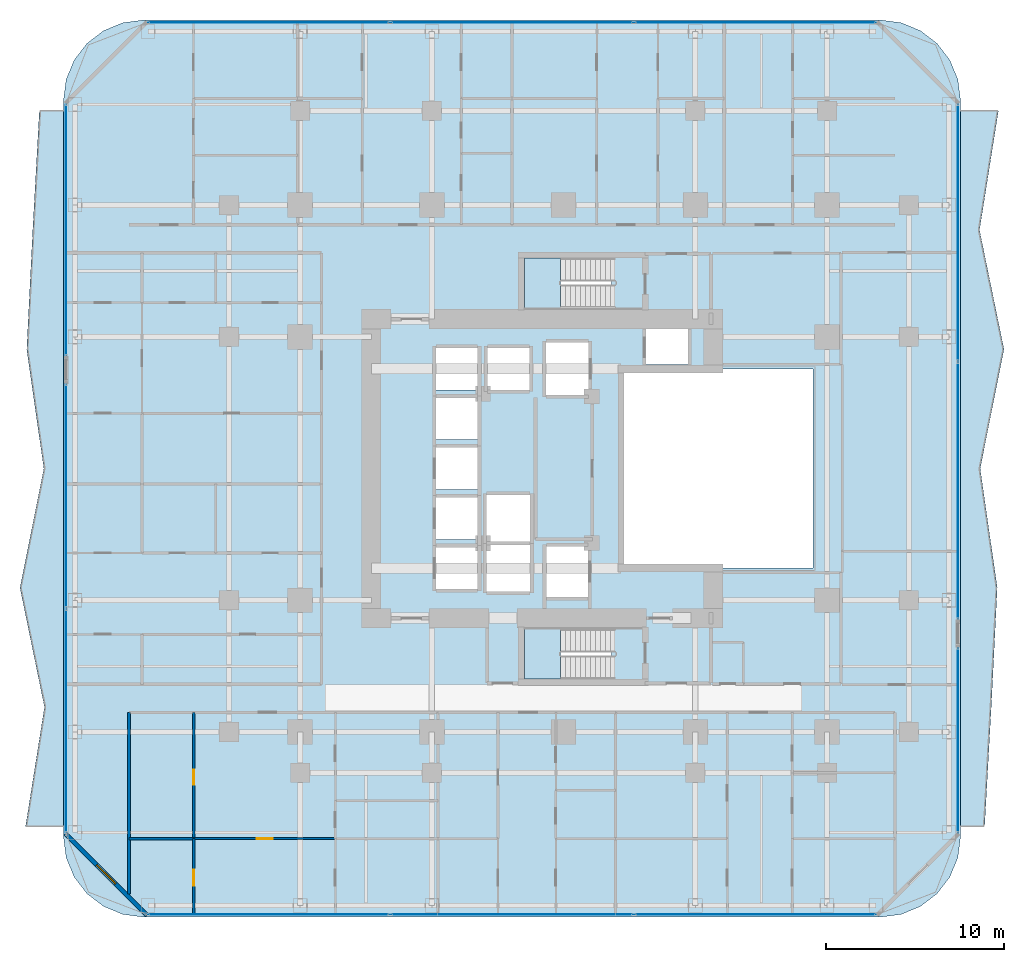
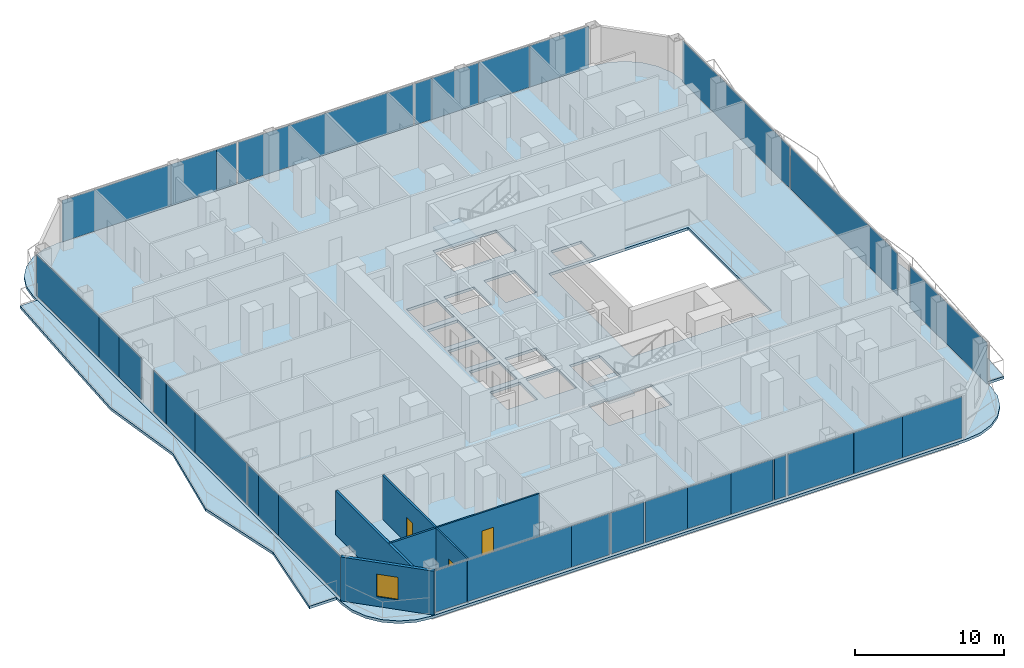
# One storey, part 18 of 29: 31 plates, 6 walls, 5 slabs, 3 doors, 1 window, 4 openings, 8 elements without a shape of their own.
"""IFC4 building model written with IfcOpenShell, lengths in metres."""

from ifc_helpers import new_model, si_unit, direction, frame, frame_2d, origin, origin_2d, place, context, subcontext, project, spatial, polyline, rectangle, outline, extrude, material, layer, layer_set, type_object, element, fill, aggregate, save


model = new_model("IFC4")

# Units and contexts
model_context = context("Model", 3, precision=1e-05, world=origin(), true_north=direction((0.0, 1.0)))
body_context = subcontext(model_context, "Body", "Model", "MODEL_VIEW")
ifc_project = project(units=[si_unit("LENGTHUNIT", "METRE"), si_unit("AREAUNIT", "SQUARE_METRE"), si_unit("VOLUMEUNIT", "CUBIC_METRE"), si_unit("PLANEANGLEUNIT", "RADIAN"), si_unit("MASSUNIT", "GRAM", prefix="KILO")], contexts=[model_context])

# Site, building, storey
site_placement = place(None, origin())
site = spatial("IfcSite", under=ifc_project, at=site_placement, CompositionType="ELEMENT")
building_placement = place(site_placement, origin())
building = spatial("IfcBuilding", under=site, at=building_placement, Name="Khorvyn Point Tower", CompositionType="ELEMENT")
storey_placement = place(building_placement, frame((0.0, 0.0, 73.5)))
storey = spatial("IfcBuildingStorey", under=building, at=storey_placement, Name="L19", CompositionType="ELEMENT", Elevation=73.5)

# Slabs
ifc_material_1 = material(Name="Concrete C35/45", Category="concrete")
ifc_layer_1 = layer(ifc_material_1, 0.219970703125)
ifc_layer_set_1 = layer_set([ifc_layer_1], Name="Concrete C35/45 Structural Floor Slab 220")
slab_type_1 = type_object("IfcSlabType", Name="Concrete C35/45 Structural Floor Slab 220", PredefinedType="FLOOR", material=ifc_layer_set_1)
slab_1_placement = place(storey_placement, frame((0.0, 0.0, -0.219970703125)))
element("IfcSlab", 1, at=slab_1_placement, inside=storey, type_object=slab_type_1, Name="L19 Main Structural Floor Slab", PredefinedType="FLOOR", context=body_context, shape_type="SweptSolid", body=[
    extrude(outline(polyline([(-23.60009765625, -25.199951171875), (-24.7646484375, -25.046630859375), (-25.85009765625, -24.59716796875), (-26.781982421875, -23.882080078125), (-27.4970703125, -22.949951171875), (-27.94677734375, -21.86474609375), (-28.10009765625, -20.699951171875), (-28.10009765625, 20.699951171875), (-27.94677734375, 21.86474609375), (-27.4970703125, 22.949951171875), (-26.781982421875, 23.882080078125), (-25.85009765625, 24.59716796875), (-24.7646484375, 25.046630859375), (-23.60009765625, 25.199951171875), (17.800048828125, 25.199951171875), (18.964599609375, 25.046630859375), (20.050048828125, 24.59716796875), (20.98193359375, 23.882080078125), (21.697021484375, 22.949951171875), (22.146728515625, 21.86474609375), (22.300048828125, 20.699951171875), (22.300048828125, -20.699951171875), (22.146728515625, -21.86474609375), (21.697021484375, -22.949951171875), (20.98193359375, -23.882080078125), (20.050048828125, -24.59716796875), (18.964599609375, -25.046630859375), (17.800048828125, -25.199951171875), (-23.60009765625, -25.199951171875)]), holes=[polyline([(-4.824951171875, -6.77490234375), (-4.824951171875, -4.425048828125), (-7.175048828125, -4.425048828125), (-7.175048828125, -6.77490234375), (-4.824951171875, -6.77490234375)]), polyline([(-4.324951171875, -6.89990234375), (-1.875, -6.89990234375), (-1.875, -4.300048828125), (-4.324951171875, -4.300048828125), (-4.324951171875, -6.89990234375)]), polyline([(-7.175048828125, -3.97509765625), (-4.824951171875, -3.97509765625), (-4.824951171875, -1.625), (-7.175048828125, -1.625), (-7.175048828125, -3.97509765625)]), polyline([(-7.175048828125, -1.175048828125), (-4.824951171875, -1.175048828125), (-4.824951171875, 1.175048828125), (-7.175048828125, 1.175048828125), (-7.175048828125, -1.175048828125)]), polyline([(-7.175048828125, 1.625), (-4.824951171875, 1.625), (-4.824951171875, 3.97509765625), (-7.175048828125, 3.97509765625), (-7.175048828125, 1.625)]), polyline([(-7.175048828125, 4.425048828125), (-4.824951171875, 4.425048828125), (-4.824951171875, 6.77490234375), (-7.175048828125, 6.77490234375), (-7.175048828125, 4.425048828125)]), polyline([(-4.27490234375, 4.425048828125), (-1.925048828125, 4.425048828125), (-1.925048828125, 6.77490234375), (-4.27490234375, 6.77490234375), (-4.27490234375, 4.425048828125)]), polyline([(2.679931640625, -11.820068359375), (2.679931640625, -9.02001953125), (-2.199951171875, -9.02001953125), (-2.199951171875, -11.820068359375), (2.679931640625, -11.820068359375)]), polyline([(-0.97509765625, -7.22509765625), (1.375, -7.22509765625), (1.375, -4.375), (-0.97509765625, -4.375), (-0.97509765625, -7.22509765625)]), polyline([(-4.324951171875, -4.10009765625), (-1.875, -4.10009765625), (-1.875, -1.5), (-4.324951171875, -1.5), (-4.324951171875, -4.10009765625)]), polyline([(3.199951171875, -5.60009765625), (14.0, -5.60009765625), (14.0, 5.60009765625), (3.199951171875, 5.60009765625), (3.199951171875, -5.60009765625)]), polyline([(-1.0, 4.125), (1.39990234375, 4.125), (1.39990234375, 7.074951171875), (-1.0, 7.074951171875), (-1.0, 4.125)]), polyline([(4.625, 5.85009765625), (6.97509765625, 5.85009765625), (6.97509765625, 7.830078125), (4.625, 7.830078125), (4.625, 5.85009765625)]), polyline([(-2.199951171875, 9.02001953125), (2.679931640625, 9.02001953125), (2.679931640625, 11.820068359375), (-2.199951171875, 11.820068359375), (-2.199951171875, 9.02001953125)])]), origin(), (0.0, 0.0, 1.0), 0.219970703125),
])
ifc_material_2 = material(Name="Concrete C40/50", Category="concrete")
ifc_layer_2 = layer(ifc_material_2, 0.2099609375)
ifc_layer_set_2 = layer_set([ifc_layer_2], Name="Concrete C40/50 Rippling Balcony Slab 210")
slab_type_2 = type_object("IfcSlabType", Name="Concrete C40/50 Rippling Balcony Slab 210", PredefinedType="USERDEFINED", material=ifc_layer_set_2)
slab_2_placement = place(storey_placement, frame((0.0, 0.0, -0.2099609375)))
element("IfcSlab", 2, at=slab_2_placement, inside=storey, type_object=slab_type_2, Name="L19 East Sinusoidal Rippling Balcony", ObjectType="BALCONY", PredefinedType="USERDEFINED", context=body_context, shape_type="SweptSolid", body=[
    extrude(outline(polyline([(22.300048828125, -20.10009765625), (23.655029296875, -20.10009765625), (24.027099609375, -13.39990234375), (24.36328125, -6.699951171875), (23.404296875, 0.0), (24.741455078125, 6.699951171875), (23.3671875, 13.39990234375), (24.427978515625, 20.10009765625), (22.300048828125, 20.10009765625), (22.300048828125, -20.10009765625)])), origin(), (0.0, 0.0, 1.0), 0.2099609375),
])
slab_3_placement = place(storey_placement, frame((0.0, 0.0, -0.2099609375)))
element("IfcSlab", 3, at=slab_3_placement, inside=storey, type_object=slab_type_2, Name="L19 West Sinusoidal Rippling Balcony", ObjectType="BALCONY", PredefinedType="USERDEFINED", context=body_context, shape_type="SweptSolid", body=[
    extrude(outline(polyline([(-28.10009765625, 20.10009765625), (-29.455078125, 20.10009765625), (-29.826904296875, 13.39990234375), (-30.163330078125, 6.699951171875), (-29.204345703125, 0.0), (-30.54150390625, -6.699951171875), (-29.167236328125, -13.39990234375), (-30.22802734375, -20.10009765625), (-28.10009765625, -20.10009765625), (-28.10009765625, 20.10009765625)])), origin(), (0.0, 0.0, 1.0), 0.2099609375),
])

# Stair, slab
stair_type = type_object("IfcStairType", Name="Tower Concrete C40/50 Dogleg Exit Stair", PredefinedType="HALF_TURN_STAIR", material=ifc_material_2)
stair_1_placement = place(storey_placement, origin())
stair_1 = element("IfcStair", 4, at=stair_1_placement, inside=storey, type_object=stair_type, Name="L19 Tower Smokeproof Exit Stair South", PredefinedType="HALF_TURN_STAIR")
ifc_layer_3 = layer(ifc_material_2, 0.199951171875)
ifc_layer_set_3 = layer_set([ifc_layer_3], Name="Concrete C40/50 Stair Landing Slab 200")
slab_type_3 = type_object("IfcSlabType", Name="Concrete C40/50 Stair Landing Slab 200", PredefinedType="LANDING", material=ifc_layer_set_3)
slab_4_placement = place(storey_placement, frame((0.0, 0.0, 1.75)))
slab_4 = element("IfcSlab", 5, at=slab_4_placement, type_object=slab_type_3, Name="ST-01 landing 1", PredefinedType="LANDING", context=body_context, shape_type="SweptSolid", body=[
    extrude(outline(polyline([(-0.179931640625, -9.02001953125), (-2.199951171875, -9.02001953125), (-2.199951171875, -11.820068359375), (-0.179931640625, -11.820068359375), (-0.179931640625, -9.02001953125)])), origin(), (0.0, 0.0, 1.0), 0.199951171875),
])
aggregate(stair_1, [slab_4])

stair_2_placement = place(storey_placement, origin())
stair_2 = element("IfcStair", 6, at=stair_2_placement, inside=storey, type_object=stair_type, Name="L19 Tower Smokeproof Exit Stair North", PredefinedType="HALF_TURN_STAIR")
slab_5_placement = place(storey_placement, frame((0.0, 0.0, 1.75)))
slab_5 = element("IfcSlab", 7, at=slab_5_placement, type_object=slab_type_3, Name="ST-02 landing 1", PredefinedType="LANDING", context=body_context, shape_type="SweptSolid", body=[
    extrude(outline(polyline([(-0.179931640625, 11.820068359375), (-2.199951171875, 11.820068359375), (-2.199951171875, 9.02001953125), (-0.179931640625, 9.02001953125), (-0.179931640625, 11.820068359375)])), origin(), (0.0, 0.0, 1.0), 0.199951171875),
])
aggregate(stair_2, [slab_5])

# Curtain wall, plates
ifc_material_3 = material(Name="Anodised aluminium 6063-T6 and laminated Low-E glass", Category="aluminium")
ifc_layer_4 = layer(ifc_material_3, 0.18994140625)
ifc_layer_set_4 = layer_set([ifc_layer_4], Name="Stick-Built Finned Residential Curtain Wall CW-SYS-02")
curtain_wall_type = type_object("IfcCurtainWallType", Name="Stick-Built Finned Residential Curtain Wall CW-SYS-02", PredefinedType="NOTDEFINED", material=ifc_layer_set_4)
curtain_wall_1_placement = place(storey_placement, origin())
curtain_wall_1 = element("IfcCurtainWall", 8, at=curtain_wall_1_placement, inside=storey, type_object=curtain_wall_type, Name="Curtain Wall", PredefinedType="NOTDEFINED")
ifc_material_4 = material(Name="Laminated Low-E insulated glass", Category="glass")
ifc_layer_5 = layer(ifc_material_4, 0.028076171875)
ifc_layer_set_5 = layer_set([ifc_layer_5], Name="Tempered Low-E Vision Glazing Panel CW-GL28")
plate_type = type_object("IfcPlateType", Name="Tempered Low-E Vision Glazing Panel CW-GL28", PredefinedType="CURTAIN_PANEL", material=ifc_layer_set_5)
plate_1_placement = place(storey_placement, frame((6.569580078125, -25.050048828125, 0.10009765625), z_axis=(0.0, 0.0, 1.0), x_axis=(-1.0, 0.0, 0.0)))
plate_1 = element("IfcPlate", 9, at=plate_1_placement, type_object=plate_type, Name="Panel", PredefinedType="CURTAIN_PANEL", context=body_context, shape_type="SweptSolid", body=[
    extrude(rectangle(XDim=5.131103515625, YDim=0.028076171875, at=origin_2d()), origin(), (0.0, 0.0, 1.0), 3.39990234375),
])
plate_2_placement = place(storey_placement, frame((11.021484375, -25.050048828125, 0.10009765625), z_axis=(0.0, 0.0, 1.0), x_axis=(-1.0, 0.0, 0.0)))
plate_2 = element("IfcPlate", 10, at=plate_2_placement, type_object=plate_type, Name="Panel", PredefinedType="CURTAIN_PANEL", context=body_context, shape_type="SweptSolid", body=[
    extrude(rectangle(XDim=3.757080078125, YDim=0.028076171875, at=origin_2d()), origin(), (0.0, 0.0, 1.0), 3.39990234375),
])
plate_3_placement = place(storey_placement, frame((15.22705078125, -25.050048828125, 0.10009765625), z_axis=(0.0, 0.0, 1.0), x_axis=(-1.0, 0.0, 0.0)))
plate_3 = element("IfcPlate", 11, at=plate_3_placement, type_object=plate_type, Name="Panel", PredefinedType="CURTAIN_PANEL", context=body_context, shape_type="SweptSolid", body=[
    extrude(rectangle(XDim=4.637939453125, YDim=0.028076171875, at=origin_2d()), origin(), (0.0, 0.0, 1.0), 3.39990234375),
])
plate_4_placement = place(storey_placement, frame((-8.410400390625, -25.050048828125, 0.10009765625), z_axis=(0.0, 0.0, 1.0), x_axis=(-1.0, 0.0, 0.0)))
plate_4 = element("IfcPlate", 12, at=plate_4_placement, type_object=plate_type, Name="Panel", PredefinedType="CURTAIN_PANEL", context=body_context, shape_type="SweptSolid", body=[
    extrude(rectangle(XDim=2.571044921875, YDim=0.028076171875, at=origin_2d()), origin(), (0.0, 0.0, 1.0), 3.39990234375),
])
plate_5_placement = place(storey_placement, frame((-5.37451171875, -25.050048828125, 0.10009765625), z_axis=(0.0, 0.0, 1.0), x_axis=(-1.0, 0.0, 0.0)))
plate_5 = element("IfcPlate", 13, at=plate_5_placement, type_object=plate_type, Name="Panel", PredefinedType="CURTAIN_PANEL", context=body_context, shape_type="SweptSolid", body=[
    extrude(rectangle(XDim=3.2451171875, YDim=0.028076171875, at=origin_2d()), origin(), (0.0, 0.0, 1.0), 3.39990234375),
])
plate_6_placement = place(storey_placement, frame((-2.06298828125, -25.050048828125, 0.10009765625), z_axis=(0.0, 0.0, 1.0), x_axis=(-1.0, 0.0, 0.0)))
plate_6 = element("IfcPlate", 14, at=plate_6_placement, type_object=plate_type, Name="Panel", PredefinedType="CURTAIN_PANEL", context=body_context, shape_type="SweptSolid", body=[
    extrude(rectangle(XDim=3.362060546875, YDim=0.028076171875, at=origin_2d()), origin(), (0.0, 0.0, 1.0), 3.39990234375),
])
plate_7_placement = place(storey_placement, frame((1.239990234375, -25.050048828125, 0.10009765625), z_axis=(0.0, 0.0, 1.0), x_axis=(-1.0, 0.0, 0.0)))
plate_7 = element("IfcPlate", 15, at=plate_7_placement, type_object=plate_type, Name="Panel", PredefinedType="CURTAIN_PANEL", context=body_context, shape_type="SweptSolid", body=[
    extrude(rectangle(XDim=3.22802734375, YDim=0.028076171875, at=origin_2d()), origin(), (0.0, 0.0, 1.0), 3.39990234375),
])
plate_8_placement = place(storey_placement, frame((3.43896484375, -25.050048828125, 0.10009765625), z_axis=(0.0, 0.0, 1.0), x_axis=(-1.0, 0.0, 0.0)))
plate_8 = element("IfcPlate", 16, at=plate_8_placement, type_object=plate_type, Name="Panel", PredefinedType="CURTAIN_PANEL", context=body_context, shape_type="SweptSolid", body=[
    extrude(rectangle(XDim=0.9140625, YDim=0.028076171875, at=origin_2d()), origin(), (0.0, 0.0, 1.0), 3.39990234375),
])
plate_9_placement = place(storey_placement, frame((-22.096435546875, -25.050048828125, 0.10009765625), z_axis=(0.0, 0.0, 1.0), x_axis=(-1.0, 0.0, 0.0)))
plate_9 = element("IfcPlate", 17, at=plate_9_placement, type_object=plate_type, Name="Panel", PredefinedType="CURTAIN_PANEL", context=body_context, shape_type="SweptSolid", body=[
    extrude(rectangle(XDim=2.4990234375, YDim=0.028076171875, at=origin_2d()), origin(), (0.0, 0.0, 1.0), 3.39990234375),
])
plate_10_placement = place(storey_placement, frame((-16.803466796875, -25.050048828125, 0.10009765625), z_axis=(0.0, 0.0, 1.0), x_axis=(-1.0, 0.0, 0.0)))
plate_10 = element("IfcPlate", 18, at=plate_10_placement, type_object=plate_type, Name="Panel", PredefinedType="CURTAIN_PANEL", context=body_context, shape_type="SweptSolid", body=[
    extrude(rectangle(XDim=8.071044921875, YDim=0.028076171875, at=origin_2d()), origin(), (0.0, 0.0, 1.0), 3.39990234375),
])
plate_11_placement = place(storey_placement, frame((-11.281982421875, -25.050048828125, 0.10009765625), z_axis=(0.0, 0.0, 1.0), x_axis=(-1.0, 0.0, 0.0)))
plate_11 = element("IfcPlate", 19, at=plate_11_placement, type_object=plate_type, Name="Panel", PredefinedType="CURTAIN_PANEL", context=body_context, shape_type="SweptSolid", body=[
    extrude(rectangle(XDim=2.9560546875, YDim=0.028076171875, at=origin_2d()), origin(), (0.0, 0.0, 1.0), 3.39990234375),
])
aggregate(curtain_wall_1, [plate_1, plate_2, plate_3, plate_4, plate_5, plate_6, plate_7, plate_8, plate_9, plate_10, plate_11])

curtain_wall_2_placement = place(storey_placement, origin())
curtain_wall_2 = element("IfcCurtainWall", 20, at=curtain_wall_2_placement, inside=storey, type_object=curtain_wall_type, Name="Curtain Wall", PredefinedType="NOTDEFINED")
plate_12_placement = place(storey_placement, frame((-19.12060546875, 25.050048828125, 0.10009765625), z_axis=(0.0, 0.0, 1.0), x_axis=(1.0, 0.0, 0.0)))
plate_12 = element("IfcPlate", 21, at=plate_12_placement, type_object=plate_type, Name="Panel", PredefinedType="CURTAIN_PANEL", context=body_context, shape_type="SweptSolid", body=[
    extrude(rectangle(XDim=8.450927734375, YDim=0.028076171875, at=origin_2d()), origin(), (0.0, 0.0, 1.0), 3.39990234375),
])
plate_13_placement = place(storey_placement, frame((-13.12939453125, 25.050048828125, 0.10009765625), z_axis=(0.0, 0.0, 1.0), x_axis=(1.0, 0.0, 0.0)))
plate_13 = element("IfcPlate", 22, at=plate_13_placement, type_object=plate_type, Name="Panel", PredefinedType="CURTAIN_PANEL", context=body_context, shape_type="SweptSolid", body=[
    extrude(rectangle(XDim=3.514892578125, YDim=0.028076171875, at=origin_2d()), origin(), (0.0, 0.0, 1.0), 3.39990234375),
])
plate_14_placement = place(storey_placement, frame((-10.583984375, 25.050048828125, 0.10009765625), z_axis=(0.0, 0.0, 1.0), x_axis=(1.0, 0.0, 0.0)))
plate_14 = element("IfcPlate", 23, at=plate_14_placement, type_object=plate_type, Name="Panel", PredefinedType="CURTAIN_PANEL", context=body_context, shape_type="SweptSolid", body=[
    extrude(rectangle(XDim=1.56005859375, YDim=0.028076171875, at=origin_2d()), origin(), (0.0, 0.0, 1.0), 3.39990234375),
])
plate_15_placement = place(storey_placement, frame((-2.89990234375, 25.050048828125, 0.10009765625), z_axis=(0.0, 0.0, 1.0), x_axis=(1.0, 0.0, 0.0)))
plate_15 = element("IfcPlate", 24, at=plate_15_placement, type_object=plate_type, Name="Panel", PredefinedType="CURTAIN_PANEL", context=body_context, shape_type="SweptSolid", body=[
    extrude(rectangle(XDim=13.60009765625, YDim=0.028076171875, at=origin_2d()), origin(), (0.0, 0.0, 1.0), 3.39990234375),
])
plate_16_placement = place(storey_placement, frame((4.680908203125, 25.050048828125, 0.10009765625), z_axis=(0.0, 0.0, 1.0), x_axis=(1.0, 0.0, 0.0)))
plate_16 = element("IfcPlate", 25, at=plate_16_placement, type_object=plate_type, Name="Panel", PredefinedType="CURTAIN_PANEL", context=body_context, shape_type="SweptSolid", body=[
    extrude(rectangle(XDim=1.35400390625, YDim=0.028076171875, at=origin_2d()), origin(), (0.0, 0.0, 1.0), 3.39990234375),
])
plate_17_placement = place(storey_placement, frame((7.162109375, 25.050048828125, 0.10009765625), z_axis=(0.0, 0.0, 1.0), x_axis=(1.0, 0.0, 0.0)))
plate_17 = element("IfcPlate", 26, at=plate_17_placement, type_object=plate_type, Name="Panel", PredefinedType="CURTAIN_PANEL", context=body_context, shape_type="SweptSolid", body=[
    extrude(rectangle(XDim=3.592041015625, YDim=0.028076171875, at=origin_2d()), origin(), (0.0, 0.0, 1.0), 3.39990234375),
])
plate_18_placement = place(storey_placement, frame((10.948486328125, 25.050048828125, 0.10009765625), z_axis=(0.0, 0.0, 1.0), x_axis=(1.0, 0.0, 0.0)))
plate_18 = element("IfcPlate", 27, at=plate_18_placement, type_object=plate_type, Name="Panel", PredefinedType="CURTAIN_PANEL", context=body_context, shape_type="SweptSolid", body=[
    extrude(rectangle(XDim=3.965087890625, YDim=0.028076171875, at=origin_2d()), origin(), (0.0, 0.0, 1.0), 3.39990234375),
])
plate_19_placement = place(storey_placement, frame((15.242431640625, 25.050048828125, 0.10009765625), z_axis=(0.0, 0.0, 1.0), x_axis=(1.0, 0.0, 0.0)))
plate_19 = element("IfcPlate", 28, at=plate_19_placement, type_object=plate_type, Name="Panel", PredefinedType="CURTAIN_PANEL", context=body_context, shape_type="SweptSolid", body=[
    extrude(rectangle(XDim=4.60693359375, YDim=0.028076171875, at=origin_2d()), origin(), (0.0, 0.0, 1.0), 3.39990234375),
])
aggregate(curtain_wall_2, [plate_12, plate_13, plate_14, plate_15, plate_16, plate_17, plate_18, plate_19])

curtain_wall_3_placement = place(storey_placement, origin())
curtain_wall_3 = element("IfcCurtainWall", 29, at=curtain_wall_3_placement, inside=storey, type_object=curtain_wall_type, Name="Curtain Wall", PredefinedType="NOTDEFINED")
plate_20_placement = place(storey_placement, frame((-27.949951171875, -16.2548828125, 0.10009765625), z_axis=(0.0, 0.0, 1.0), x_axis=(0.0, 1.0, 0.0)))
plate_20 = element("IfcPlate", 30, at=plate_20_placement, type_object=plate_type, Name="Panel", PredefinedType="CURTAIN_PANEL", context=body_context, shape_type="SweptSolid", body=[
    extrude(rectangle(XDim=8.382080078125, YDim=0.028076171875, at=origin_2d()), origin(), (0.0, 0.0, 1.0), 3.39990234375),
])
plate_21_placement = place(storey_placement, frame((-27.949951171875, -10.719970703125, 0.10009765625), z_axis=(0.0, 0.0, 1.0), x_axis=(0.0, 1.0, 0.0)))
plate_21 = element("IfcPlate", 31, at=plate_21_placement, type_object=plate_type, Name="Panel", PredefinedType="CURTAIN_PANEL", context=body_context, shape_type="SweptSolid", body=[
    extrude(rectangle(XDim=2.672119140625, YDim=0.028076171875, at=origin_2d()), origin(), (0.0, 0.0, 1.0), 3.39990234375),
])
plate_22_placement = place(storey_placement, frame((-27.949951171875, -8.647705078125, 0.10009765625), z_axis=(0.0, 0.0, 1.0), x_axis=(0.0, 1.0, 0.0)))
plate_22 = element("IfcPlate", 32, at=plate_22_placement, type_object=plate_type, Name="Panel", PredefinedType="CURTAIN_PANEL", context=body_context, shape_type="SweptSolid", body=[
    extrude(rectangle(XDim=1.45654296875, YDim=0.028076171875, at=origin_2d()), origin(), (0.0, 0.0, 1.0), 3.39990234375),
])
plate_23_placement = place(storey_placement, frame((-27.949951171875, -4.314208984375, 0.10009765625), z_axis=(0.0, 0.0, 1.0), x_axis=(0.0, 1.0, 0.0)))
plate_23 = element("IfcPlate", 33, at=plate_23_placement, type_object=plate_type, Name="Panel", PredefinedType="CURTAIN_PANEL", context=body_context, shape_type="SweptSolid", body=[
    extrude(rectangle(XDim=6.994384765625, YDim=0.028076171875, at=origin_2d()), origin(), (0.0, 0.0, 1.0), 3.39990234375),
])
plate_24_placement = place(storey_placement, frame((-27.949951171875, 1.112060546875, 0.10009765625), z_axis=(0.0, 0.0, 1.0), x_axis=(0.0, 1.0, 0.0)))
plate_24 = element("IfcPlate", 34, at=plate_24_placement, type_object=plate_type, Name="Panel", PredefinedType="CURTAIN_PANEL", context=body_context, shape_type="SweptSolid", body=[
    extrude(rectangle(XDim=3.842041015625, YDim=0.028076171875, at=origin_2d()), origin(), (0.0, 0.0, 1.0), 3.39990234375),
])
plate_25_placement = place(storey_placement, frame((-27.949951171875, 3.8779296875, 0.10009765625), z_axis=(0.0, 0.0, 1.0), x_axis=(0.0, 1.0, 0.0)))
plate_25 = element("IfcPlate", 35, at=plate_25_placement, type_object=plate_type, Name="Panel", PredefinedType="CURTAIN_PANEL", context=body_context, shape_type="SweptSolid", body=[
    extrude(rectangle(XDim=1.674072265625, YDim=0.028076171875, at=origin_2d()), origin(), (0.0, 0.0, 1.0), 3.39990234375),
])
aggregate(curtain_wall_3, [plate_20, plate_21, plate_22, plate_23, plate_24, plate_25])

curtain_wall_4_placement = place(storey_placement, origin())
curtain_wall_4 = element("IfcCurtainWall", 36, at=curtain_wall_4_placement, inside=storey, type_object=curtain_wall_type, Name="Curtain Wall", PredefinedType="NOTDEFINED")
plate_26_placement = place(storey_placement, frame((-27.949951171875, 7.869384765625, 0.10009765625), z_axis=(0.0, 0.0, 1.0), x_axis=(0.0, 1.0, 0.0)))
plate_26 = element("IfcPlate", 37, at=plate_26_placement, type_object=plate_type, Name="Panel", PredefinedType="CURTAIN_PANEL", context=body_context, shape_type="SweptSolid", body=[
    extrude(rectangle(XDim=3.012939453125, YDim=0.028076171875, at=origin_2d()), origin(), (0.0, 0.0, 1.0), 3.39990234375),
])
plate_27_placement = place(storey_placement, frame((-27.949951171875, 10.719970703125, 0.10009765625), z_axis=(0.0, 0.0, 1.0), x_axis=(0.0, 1.0, 0.0)))
plate_27 = element("IfcPlate", 38, at=plate_27_placement, type_object=plate_type, Name="Panel", PredefinedType="CURTAIN_PANEL", context=body_context, shape_type="SweptSolid", body=[
    extrude(rectangle(XDim=2.672119140625, YDim=0.028076171875, at=origin_2d()), origin(), (0.0, 0.0, 1.0), 3.39990234375),
])
plate_28_placement = place(storey_placement, frame((-27.949951171875, 16.2548828125, 0.10009765625), z_axis=(0.0, 0.0, 1.0), x_axis=(0.0, 1.0, 0.0)))
plate_28 = element("IfcPlate", 39, at=plate_28_placement, type_object=plate_type, Name="Panel", PredefinedType="CURTAIN_PANEL", context=body_context, shape_type="SweptSolid", body=[
    extrude(rectangle(XDim=8.382080078125, YDim=0.028076171875, at=origin_2d()), origin(), (0.0, 0.0, 1.0), 3.39990234375),
])
aggregate(curtain_wall_4, [plate_26, plate_27, plate_28])

curtain_wall_5_placement = place(storey_placement, origin())
curtain_wall_5 = element("IfcCurtainWall", 40, at=curtain_wall_5_placement, inside=storey, type_object=curtain_wall_type, Name="Curtain Wall", PredefinedType="NOTDEFINED")
plate_29_placement = place(storey_placement, frame((22.14990234375, 13.25048828125, 0.10009765625), z_axis=(0.0, 0.0, 1.0), x_axis=(0.0, -1.0, 0.0)))
plate_29 = element("IfcPlate", 41, at=plate_29_placement, type_object=plate_type, Name="Panel", PredefinedType="CURTAIN_PANEL", context=body_context, shape_type="SweptSolid", body=[
    extrude(rectangle(XDim=14.39892578125, YDim=0.028076171875, at=origin_2d()), origin(), (0.0, 0.0, 1.0), 3.39990234375),
])
plate_30_placement = place(storey_placement, frame((22.14990234375, -1.24853515625, 0.10009765625), z_axis=(0.0, 0.0, 1.0), x_axis=(0.0, -1.0, 0.0)))
plate_30 = element("IfcPlate", 42, at=plate_30_placement, type_object=plate_type, Name="Panel", PredefinedType="CURTAIN_PANEL", context=body_context, shape_type="SweptSolid", body=[
    extrude(rectangle(XDim=14.39892578125, YDim=0.028076171875, at=origin_2d()), origin(), (0.0, 0.0, 1.0), 3.39990234375),
])
aggregate(curtain_wall_5, [plate_29, plate_30])

# Curtain wall, plate
curtain_wall_6_placement = place(storey_placement, origin())
curtain_wall_6 = element("IfcCurtainWall", 43, at=curtain_wall_6_placement, inside=storey, type_object=curtain_wall_type, Name="Curtain Wall", PredefinedType="NOTDEFINED")
plate_31_placement = place(storey_placement, frame((22.14990234375, -15.26904296875, 0.10009765625), z_axis=(0.0, 0.0, 1.0), x_axis=(0.0, -1.0, 0.0)))
plate_31 = element("IfcPlate", 44, at=plate_31_placement, type_object=plate_type, Name="Panel", PredefinedType="CURTAIN_PANEL", context=body_context, shape_type="SweptSolid", body=[
    extrude(rectangle(XDim=10.362060546875, YDim=0.028076171875, at=origin_2d()), origin(), (0.0, 0.0, 1.0), 3.39990234375),
])
aggregate(curtain_wall_6, [plate_31])

# Wall
ifc_material_5 = material(Name="Double acoustic gypsum on twin steel stud", Category="steel")
ifc_layer_6 = layer(ifc_material_5, 0.179931640625)
ifc_layer_set_6 = layer_set([ifc_layer_6], Name="Acoustic Double-Stud Apartment Demising Wall 180")
wall_type_1 = type_object("IfcWallType", Name="Acoustic Double-Stud Apartment Demising Wall 180", PredefinedType="PARTITIONING", material=ifc_layer_set_6)
wall_1_placement = place(storey_placement, frame((-24.419921875, -23.909912109375, 0.0), z_axis=(0.0, 0.0, 1.0), x_axis=(0.0, 1.0, 0.0)))
element("IfcWall", 45, at=wall_1_placement, inside=storey, type_object=wall_type_1, Name="Wall", PredefinedType="PARTITIONING", context=body_context, shape_type="SweptSolid", body=[
    extrude(rectangle(XDim=10.2099609375, YDim=0.179931640625, at=frame_2d((5.10498046875, 0.0))), origin(), (0.0, 0.0, 1.0), 3.60009765625),
])

# Wall, opening, window
ifc_material_6 = material(Name="Pale anodised aluminium rainscreen on steel stud", Category="steel")
ifc_layer_7 = layer(ifc_material_6, 0.239990234375)
ifc_layer_set_7 = layer_set([ifc_layer_7], Name="Anodised Aluminium Insulated Corner Spandrel Wall 240")
wall_type_2 = type_object("IfcWallType", Name="Anodised Aluminium Insulated Corner Spandrel Wall 240", PredefinedType="SOLIDWALL", material=ifc_layer_set_7)
wall_2_placement = place(storey_placement, frame((-23.40771484375, -25.09228515625, 0.0), z_axis=(0.0, 0.0, 1.0), x_axis=(-0.707106781187, 0.707106781187, 0.0)))
wall_2 = element("IfcWall", 46, at=wall_2_placement, inside=storey, type_object=wall_type_2, Name="L19 Rounded Corner Wall SW", PredefinedType="SOLIDWALL", context=body_context, shape_type="SweptSolid", body=[
    extrude(rectangle(XDim=6.48388671875, YDim=0.239990234375, at=frame_2d((3.241943359375, 0.0))), origin(), (0.0, 0.0, 1.0), 3.60009765625),
])
opening_1_placement = place(wall_2_placement, frame((2.491943359375, 0.0, 0.800048828125)))
opening_1 = element("IfcOpeningElement", 47, at=opening_1_placement, cuts=wall_2, Name="Opening WN-1518", PredefinedType="OPENING", context=body_context, shape_type="SweptSolid", body=[
    extrude(rectangle(XDim=1.5, YDim=1.85009765625, at=frame_2d((0.75, 0.925048828125))), frame((0.0, 0.1298828125, 0.0), z_axis=(0.0, -1.0, 0.0), x_axis=(1.0, 0.0, 0.0)), (0.0, 0.0, 1.0), 0.260009765625),
])
window_type = type_object("IfcWindowType", Name="Anodised Aluminium Rounded-Corner Panoramic Window 1500x1850", PartitioningType="SINGLE_PANEL", PredefinedType="WINDOW", material=ifc_material_3)
window_placement = place(opening_1_placement, origin())
window = element("IfcWindow", 48, at=window_placement, inside=storey, type_object=window_type, Name="L19 Corner Panoramic Window SW", OverallHeight=1.85009765625, OverallWidth=1.5, PartitioningType="SINGLE_PANEL", PredefinedType="WINDOW", context=body_context, shape_type="SweptSolid", body=[
    extrude(rectangle(XDim=1.5, YDim=1.85009765625, at=frame_2d((0.75, 0.925048828125))), frame((0.0, 0.030029296875, 0.0), z_axis=(0.0, -1.0, 0.0), x_axis=(1.0, 0.0, 0.0)), (0.0, 0.0, 1.0), 0.06005859375),
])
fill(opening_1, window)

# Wall, opening, door
ifc_material_7 = material(Name="Gypsum plasterboard on steel stud", Category="steel")
ifc_layer_8 = layer(ifc_material_7, 0.1201171875)
ifc_layer_set_8 = layer_set([ifc_layer_8], Name="Gypsum Acoustic Stud Room Partition Wall 120")
wall_type_3 = type_object("IfcWallType", Name="Gypsum Acoustic Stud Room Partition Wall 120", PredefinedType="PARTITIONING", material=ifc_layer_set_8)
wall_3_placement = place(storey_placement, frame((-20.782958984375, -20.7900390625, 0.0), z_axis=(0.0, 0.0, 1.0), x_axis=(1.0, 0.0, 0.0)))
wall_3 = element("IfcWall", 49, at=wall_3_placement, inside=storey, type_object=wall_type_3, Name="Wall", PredefinedType="PARTITIONING", context=body_context, shape_type="SweptSolid", body=[
    extrude(rectangle(XDim=7.958984375, YDim=0.1201171875, at=frame_2d((3.9794921875, 0.0))), origin(), (0.0, 0.0, 1.0), 3.60009765625),
])
opening_2_placement = place(wall_3_placement, frame((3.529541015625, 0.0, 0.0)))
opening_2 = element("IfcOpeningElement", 50, at=opening_2_placement, cuts=wall_3, Name="Opening ID-RM90", PredefinedType="OPENING", context=body_context, shape_type="SweptSolid", body=[
    extrude(rectangle(XDim=0.89990234375, YDim=2.10009765625, at=frame_2d((0.449951171875, 1.050048828125))), frame((0.0, 0.070068359375, 0.0), z_axis=(0.0, -1.0, 0.0), x_axis=(1.0, 0.0, 0.0)), (0.0, 0.0, 1.0), 0.14013671875),
])
ifc_material_8 = material(Name="Engineered oak veneer timber", Category="wood")
door_type_1 = type_object("IfcDoorType", Name="Flush Engineered Timber Room Door 900x2100", OperationType="NOTDEFINED", PredefinedType="DOOR", material=ifc_material_8)
door_1_placement = place(opening_2_placement, origin())
door_1 = element("IfcDoor", 51, at=door_1_placement, inside=storey, type_object=door_type_1, Name="Door", OperationType="SINGLE_SWING_LEFT", OverallHeight=2.10009765625, OverallWidth=0.89990234375, PredefinedType="DOOR", context=body_context, shape_type="SweptSolid", body=[
    extrude(rectangle(XDim=0.89990234375, YDim=2.10009765625, at=frame_2d((0.449951171875, 1.050048828125))), frame((0.0, 0.02490234375, 0.0), z_axis=(0.0, -1.0, 0.0), x_axis=(1.0, 0.0, 0.0)), (0.0, 0.0, 1.0), 0.050048828125),
])
fill(opening_2, door_1)

wall_4_placement = place(storey_placement, frame((-20.782958984375, -25.030029296875, 0.0), z_axis=(0.0, 0.0, 1.0), x_axis=(0.0, 1.0, 0.0)))
wall_4 = element("IfcWall", 52, at=wall_4_placement, inside=storey, type_object=wall_type_3, Name="Wall", PredefinedType="PARTITIONING", context=body_context, shape_type="SweptSolid", body=[
    extrude(rectangle(XDim=4.239990234375, YDim=0.1201171875, at=frame_2d((2.1201171875, 0.0))), origin(), (0.0, 0.0, 1.0), 3.60009765625),
])
opening_3_placement = place(wall_4_placement, frame((1.581298828125, 0.0, 0.0)))
opening_3 = element("IfcOpeningElement", 53, at=opening_3_placement, cuts=wall_4, Name="Opening ID-RM90", PredefinedType="OPENING", context=body_context, shape_type="SweptSolid", body=[
    extrude(rectangle(XDim=0.89990234375, YDim=2.10009765625, at=frame_2d((0.449951171875, 1.050048828125))), frame((0.0, 0.070068359375, 0.0), z_axis=(0.0, -1.0, 0.0), x_axis=(1.0, 0.0, 0.0)), (0.0, 0.0, 1.0), 0.14013671875),
])
door_2_placement = place(opening_3_placement, origin())
door_2 = element("IfcDoor", 54, at=door_2_placement, inside=storey, type_object=door_type_1, Name="Door", OperationType="SINGLE_SWING_LEFT", OverallHeight=2.10009765625, OverallWidth=0.89990234375, PredefinedType="DOOR", context=body_context, shape_type="SweptSolid", body=[
    extrude(rectangle(XDim=0.89990234375, YDim=2.10009765625, at=frame_2d((0.449951171875, 1.050048828125))), frame((0.0, 0.02490234375, 0.0), z_axis=(0.0, -1.0, 0.0), x_axis=(1.0, 0.0, 0.0)), (0.0, 0.0, 1.0), 0.050048828125),
])
fill(opening_3, door_2)

ifc_material_9 = material(Name="Moisture-resistant gypsum and cement board", Category="gypsum")
ifc_layer_9 = layer(ifc_material_9, 0.14990234375)
ifc_layer_set_9 = layer_set([ifc_layer_9], Name="Moisture-Resistant Wet-Room Partition Wall 150")
wall_type_4 = type_object("IfcWallType", Name="Moisture-Resistant Wet-Room Partition Wall 150", PredefinedType="PARTITIONING", material=ifc_layer_set_9)
wall_5_placement = place(storey_placement, frame((-20.782958984375, -20.7900390625, 0.0), z_axis=(0.0, 0.0, 1.0), x_axis=(0.0, 1.0, 0.0)))
wall_5 = element("IfcWall", 55, at=wall_5_placement, inside=storey, type_object=wall_type_4, Name="Wall", PredefinedType="PARTITIONING", context=body_context, shape_type="SweptSolid", body=[
    extrude(rectangle(XDim=7.090087890625, YDim=0.14990234375, at=frame_2d((3.544921875, 0.0))), origin(), (0.0, 0.0, 1.0), 3.60009765625),
])
opening_4_placement = place(wall_5_placement, frame((3.0302734375, 0.0, 0.0)))
opening_4 = element("IfcOpeningElement", 56, at=opening_4_placement, cuts=wall_5, Name="Opening ID-WC85", PredefinedType="OPENING", context=body_context, shape_type="SweptSolid", body=[
    extrude(rectangle(XDim=0.85009765625, YDim=2.10009765625, at=frame_2d((0.425048828125, 1.050048828125))), frame((0.0, 0.0849609375, 0.0), z_axis=(0.0, -1.0, 0.0), x_axis=(1.0, 0.0, 0.0)), (0.0, 0.0, 1.0), 0.169921875),
])
ifc_material_10 = material(Name="High-pressure laminate on moisture-resistant core", Category="wood")
door_type_2 = type_object("IfcDoorType", Name="Moisture-Resistant Accessible Washroom Door 850x2100", OperationType="NOTDEFINED", PredefinedType="DOOR", material=ifc_material_10)
door_3_placement = place(opening_4_placement, origin())
door_3 = element("IfcDoor", 57, at=door_3_placement, inside=storey, type_object=door_type_2, Name="Door", OperationType="SINGLE_SWING_RIGHT", OverallHeight=2.10009765625, OverallWidth=0.85009765625, PredefinedType="DOOR", context=body_context, shape_type="SweptSolid", body=[
    extrude(rectangle(XDim=0.85009765625, YDim=2.10009765625, at=frame_2d((0.425048828125, 1.050048828125))), frame((0.0, 0.02490234375, 0.0), z_axis=(0.0, -1.0, 0.0), x_axis=(1.0, 0.0, 0.0)), (0.0, 0.0, 1.0), 0.050048828125),
])
fill(opening_4, door_3)

# Wall
wall_6_placement = place(storey_placement, frame((-24.419921875, -20.7900390625, 0.0), z_axis=(0.0, 0.0, 1.0), x_axis=(1.0, 0.0, 0.0)))
element("IfcWall", 58, at=wall_6_placement, inside=storey, type_object=wall_type_4, Name="Wall", PredefinedType="PARTITIONING", context=body_context, shape_type="SweptSolid", body=[
    extrude(rectangle(XDim=3.636962890625, YDim=0.14990234375, at=frame_2d((1.818359375, 0.0))), origin(), (0.0, 0.0, 1.0), 3.60009765625),
])

save(model, "model.ifc")
